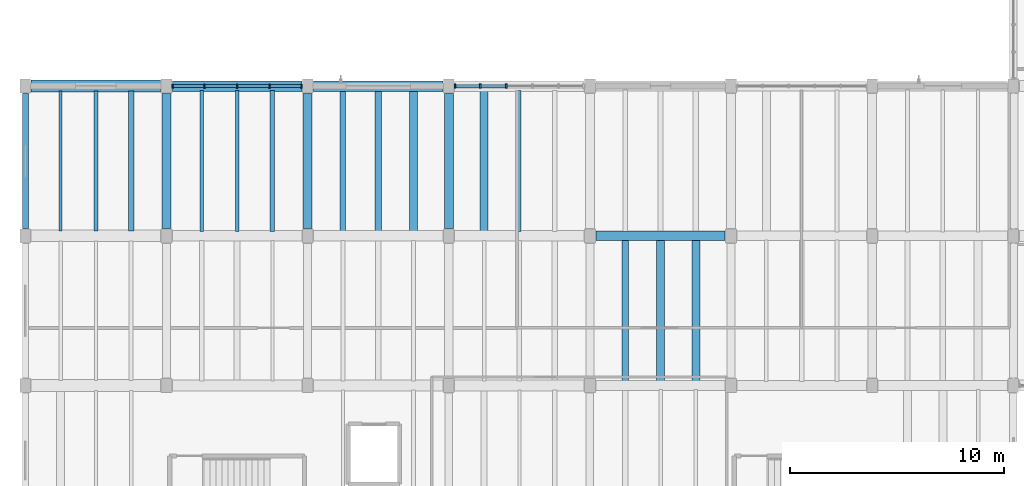
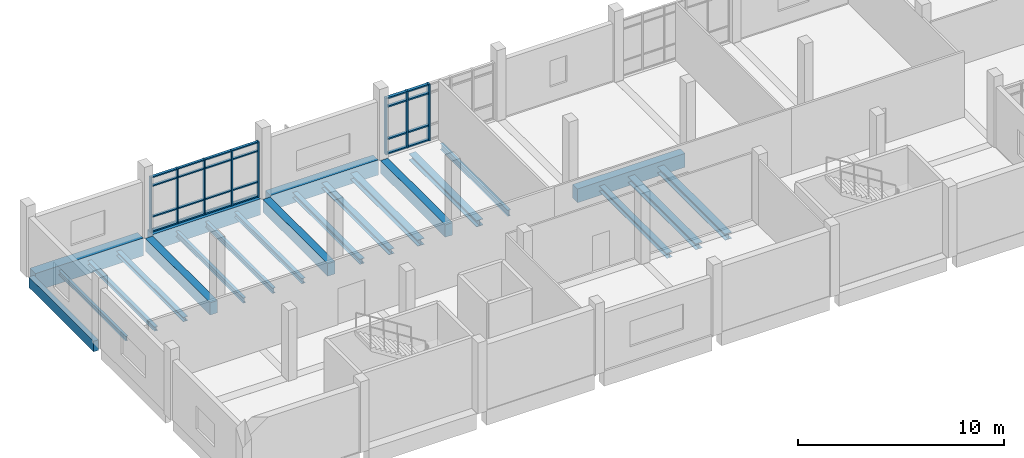
# One storey, part 3 of 67: 32 members, 22 beams, 2 elements without a shape of their own.
"""IFC4 building model written with IfcOpenShell, lengths in metres."""

from ifc_helpers import new_model, si_unit, direction, frame, origin, origin_2d, place, context, subcontext, project, spatial, rectangle, i_section, extrude, material, material_profile, profile_set, type_object, element, aggregate, save


model = new_model("IFC4")

# Units and contexts
model_context = context("Model", 3, precision=1e-05, world=origin(), true_north=direction((0.0, 1.0)))
body_context = subcontext(model_context, "Body", "Model", "MODEL_VIEW")
ifc_project = project(units=[si_unit("LENGTHUNIT", "METRE"), si_unit("AREAUNIT", "SQUARE_METRE"), si_unit("VOLUMEUNIT", "CUBIC_METRE"), si_unit("PLANEANGLEUNIT", "RADIAN"), si_unit("MASSUNIT", "GRAM", prefix="KILO")], contexts=[model_context])

# Site, building, storey
site_placement = place(None, origin())
site = spatial("IfcSite", under=ifc_project, at=site_placement, CompositionType="ELEMENT")
building_placement = place(site_placement, origin())
building = spatial("IfcBuilding", under=site, at=building_placement, Name="Ciguamira Faculty of Natural Sciences", CompositionType="ELEMENT")
storey_placement = place(building_placement, frame((0.0, 0.0, 8.39990234375)))
storey = spatial("IfcBuildingStorey", under=building, at=storey_placement, Name="L02", CompositionType="ELEMENT", Elevation=8.39990234375)

# Curtain wall, members
ifc_material_1 = material(Name="Anodized aluminium curtain wall", Category="aluminium")
curtain_wall_type_1 = type_object("IfcCurtainWallType", Name="CurtainWall_CW-08", PredefinedType="USERDEFINED", material=ifc_material_1)
curtain_wall_1_placement = place(storey_placement, origin())
curtain_wall_1 = element("IfcCurtainWall", 1, at=curtain_wall_1_placement, inside=storey, type_object=curtain_wall_type_1, Name="L02 unitised curtain wall 0056", ObjectType="UNITISED CURTAIN WALL", PredefinedType="USERDEFINED")
ifc_material_2 = material(Name="Anodized aluminium mullion", Category="aluminium")
ifc_material_profile_1 = material_profile(ifc_material_2, rectangle(XDim=0.070068359375, YDim=0.179931640625, at=origin_2d()), Name="ALU-MUL-70X180")
ifc_profile_set_1 = profile_set([ifc_material_profile_1], Name="Anodized aluminium mullion")
member_type_1 = type_object("IfcMemberType", Name="CWMullion_CWM-02", PredefinedType="MULLION", material=ifc_profile_set_1)
member_1_placement = place(storey_placement, frame((11.385009765625, 24.0, 0.0), z_axis=(0.0, 0.0, 1.0), x_axis=(1.0, 0.0, 0.0)))
member_1 = element("IfcMember", 2, at=member_1_placement, type_object=member_type_1, Name="CW-08 mullion 1", PredefinedType="MULLION", context=body_context, shape_type="SweptSolid", body=[
    extrude(rectangle(XDim=0.070068359375, YDim=0.179931640625, at=origin_2d()), origin(), (0.0, 0.0, 1.0), 3.28515625),
])
member_2_placement = place(storey_placement, frame((12.875, 24.0, 0.0), z_axis=(0.0, 0.0, 1.0), x_axis=(1.0, 0.0, 0.0)))
member_2 = element("IfcMember", 3, at=member_2_placement, type_object=member_type_1, Name="CW-08 mullion 2", PredefinedType="MULLION", context=body_context, shape_type="SweptSolid", body=[
    extrude(rectangle(XDim=0.070068359375, YDim=0.179931640625, at=origin_2d()), origin(), (0.0, 0.0, 1.0), 3.28515625),
])
member_3_placement = place(storey_placement, frame((14.39990234375, 24.0, 0.0), z_axis=(0.0, 0.0, 1.0), x_axis=(1.0, 0.0, 0.0)))
member_3 = element("IfcMember", 4, at=member_3_placement, type_object=member_type_1, Name="CW-08 mullion 3", PredefinedType="MULLION", context=body_context, shape_type="SweptSolid", body=[
    extrude(rectangle(XDim=0.070068359375, YDim=0.179931640625, at=origin_2d()), origin(), (0.0, 0.0, 1.0), 3.28515625),
])
member_4_placement = place(storey_placement, frame((15.925048828125, 24.0, 0.0), z_axis=(0.0, 0.0, 1.0), x_axis=(1.0, 0.0, 0.0)))
member_4 = element("IfcMember", 5, at=member_4_placement, type_object=member_type_1, Name="CW-08 mullion 4", PredefinedType="MULLION", context=body_context, shape_type="SweptSolid", body=[
    extrude(rectangle(XDim=0.070068359375, YDim=0.179931640625, at=origin_2d()), origin(), (0.0, 0.0, 1.0), 3.28515625),
])
member_5_placement = place(storey_placement, frame((17.4150390625, 24.0, 0.0), z_axis=(0.0, 0.0, 1.0), x_axis=(1.0, 0.0, 0.0)))
member_5 = element("IfcMember", 6, at=member_5_placement, type_object=member_type_1, Name="CW-08 mullion 5", PredefinedType="MULLION", context=body_context, shape_type="SweptSolid", body=[
    extrude(rectangle(XDim=0.070068359375, YDim=0.179931640625, at=origin_2d()), origin(), (0.0, 0.0, 1.0), 3.28515625),
])

curtain_wall_type_2 = type_object("IfcCurtainWallType", Name="CurtainWall_CW-09", PredefinedType="USERDEFINED", material=ifc_material_1)
curtain_wall_2_placement = place(storey_placement, origin())
curtain_wall_2 = element("IfcCurtainWall", 7, at=curtain_wall_2_placement, inside=storey, type_object=curtain_wall_type_2, Name="L02 unitised curtain wall 0057", ObjectType="UNITISED CURTAIN WALL", PredefinedType="USERDEFINED")
ifc_material_profile_2 = material_profile(ifc_material_2, rectangle(XDim=0.080078125, YDim=0.219970703125, at=origin_2d()), Name="ALU-MUL-80X220")
ifc_profile_set_2 = profile_set([ifc_material_profile_2], Name="Anodized aluminium mullion")
member_type_2 = type_object("IfcMemberType", Name="CWMullion_CWM-03", PredefinedType="MULLION", material=ifc_profile_set_2)
member_6_placement = place(storey_placement, frame((24.590087890625, 24.0, 0.0), z_axis=(0.0, 0.0, 1.0), x_axis=(1.0, 0.0, 0.0)))
member_6 = element("IfcMember", 8, at=member_6_placement, type_object=member_type_2, Name="CW-09 mullion 1", PredefinedType="MULLION", context=body_context, shape_type="SweptSolid", body=[
    extrude(rectangle(XDim=0.080078125, YDim=0.219970703125, at=origin_2d()), origin(), (0.0, 0.0, 1.0), 3.364990234375),
])
member_7_placement = place(storey_placement, frame((25.77001953125, 24.0, 0.0), z_axis=(0.0, 0.0, 1.0), x_axis=(1.0, 0.0, 0.0)))
member_7 = element("IfcMember", 9, at=member_7_placement, type_object=member_type_2, Name="CW-09 mullion 2", PredefinedType="MULLION", context=body_context, shape_type="SweptSolid", body=[
    extrude(rectangle(XDim=0.080078125, YDim=0.219970703125, at=origin_2d()), origin(), (0.0, 0.0, 1.0), 3.364990234375),
])
member_8_placement = place(storey_placement, frame((26.989990234375, 24.0, 0.0), z_axis=(0.0, 0.0, 1.0), x_axis=(1.0, 0.0, 0.0)))
member_8 = element("IfcMember", 10, at=member_8_placement, type_object=member_type_2, Name="CW-09 mullion 3", PredefinedType="MULLION", context=body_context, shape_type="SweptSolid", body=[
    extrude(rectangle(XDim=0.080078125, YDim=0.219970703125, at=origin_2d()), origin(), (0.0, 0.0, 1.0), 3.364990234375),
])

# Member
ifc_material_3 = material(Name="Anodized aluminium transom", Category="aluminium")
ifc_material_profile_3 = material_profile(ifc_material_3, rectangle(XDim=0.070068359375, YDim=0.139892578125, at=origin_2d()), Name="ALU-TRN-70X140")
ifc_profile_set_3 = profile_set([ifc_material_profile_3], Name="Anodized aluminium transom")
member_type_3 = type_object("IfcMemberType", Name="CWTransom_CWT-02", PredefinedType="USERDEFINED", material=ifc_profile_set_3)
member_9_placement = place(storey_placement, frame((11.419921875, 24.0, 0.03515625), z_axis=(1.0, 0.0, 0.0), x_axis=(0.0, 0.0, 1.0)))
member_9 = element("IfcMember", 11, at=member_9_placement, type_object=member_type_3, Name="CW-08 transom 1.1", ObjectType="TRANSOM", PredefinedType="USERDEFINED", context=body_context, shape_type="SweptSolid", body=[
    extrude(rectangle(XDim=0.070068359375, YDim=0.139892578125, at=origin_2d()), origin(), (0.0, 0.0, 1.0), 1.420166015625),
])

member_10_placement = place(storey_placement, frame((11.419921875, 24.0, 0.900146484375), z_axis=(1.0, 0.0, 0.0), x_axis=(0.0, 0.0, 1.0)))
member_10 = element("IfcMember", 12, at=member_10_placement, type_object=member_type_3, Name="CW-08 transom 1.2", ObjectType="TRANSOM", PredefinedType="USERDEFINED", context=body_context, shape_type="SweptSolid", body=[
    extrude(rectangle(XDim=0.070068359375, YDim=0.139892578125, at=origin_2d()), origin(), (0.0, 0.0, 1.0), 1.420166015625),
])

member_11_placement = place(storey_placement, frame((11.419921875, 24.0, 2.735107421875), z_axis=(1.0, 0.0, 0.0), x_axis=(0.0, 0.0, 1.0)))
member_11 = element("IfcMember", 13, at=member_11_placement, type_object=member_type_3, Name="CW-08 transom 1.3", ObjectType="TRANSOM", PredefinedType="USERDEFINED", context=body_context, shape_type="SweptSolid", body=[
    extrude(rectangle(XDim=0.070068359375, YDim=0.139892578125, at=origin_2d()), origin(), (0.0, 0.0, 1.0), 1.420166015625),
])

member_12_placement = place(storey_placement, frame((11.419921875, 24.0, 3.25), z_axis=(1.0, 0.0, 0.0), x_axis=(0.0, 0.0, 1.0)))
member_12 = element("IfcMember", 14, at=member_12_placement, type_object=member_type_3, Name="CW-08 transom 1.4", ObjectType="TRANSOM", PredefinedType="USERDEFINED", context=body_context, shape_type="SweptSolid", body=[
    extrude(rectangle(XDim=0.070068359375, YDim=0.139892578125, at=origin_2d()), origin(), (0.0, 0.0, 1.0), 1.420166015625),
])

member_13_placement = place(storey_placement, frame((12.909912109375, 24.0, 0.03515625), z_axis=(1.0, 0.0, 0.0), x_axis=(0.0, 0.0, 1.0)))
member_13 = element("IfcMember", 15, at=member_13_placement, type_object=member_type_3, Name="CW-08 transom 2.1", ObjectType="TRANSOM", PredefinedType="USERDEFINED", context=body_context, shape_type="SweptSolid", body=[
    extrude(rectangle(XDim=0.070068359375, YDim=0.139892578125, at=origin_2d()), origin(), (0.0, 0.0, 1.0), 1.455078125),
])

member_14_placement = place(storey_placement, frame((12.909912109375, 24.0, 0.900146484375), z_axis=(1.0, 0.0, 0.0), x_axis=(0.0, 0.0, 1.0)))
member_14 = element("IfcMember", 16, at=member_14_placement, type_object=member_type_3, Name="CW-08 transom 2.2", ObjectType="TRANSOM", PredefinedType="USERDEFINED", context=body_context, shape_type="SweptSolid", body=[
    extrude(rectangle(XDim=0.070068359375, YDim=0.139892578125, at=origin_2d()), origin(), (0.0, 0.0, 1.0), 1.455078125),
])

member_15_placement = place(storey_placement, frame((12.909912109375, 24.0, 2.735107421875), z_axis=(1.0, 0.0, 0.0), x_axis=(0.0, 0.0, 1.0)))
member_15 = element("IfcMember", 17, at=member_15_placement, type_object=member_type_3, Name="CW-08 transom 2.3", ObjectType="TRANSOM", PredefinedType="USERDEFINED", context=body_context, shape_type="SweptSolid", body=[
    extrude(rectangle(XDim=0.070068359375, YDim=0.139892578125, at=origin_2d()), origin(), (0.0, 0.0, 1.0), 1.455078125),
])

member_16_placement = place(storey_placement, frame((12.909912109375, 24.0, 3.25), z_axis=(1.0, 0.0, 0.0), x_axis=(0.0, 0.0, 1.0)))
member_16 = element("IfcMember", 18, at=member_16_placement, type_object=member_type_3, Name="CW-08 transom 2.4", ObjectType="TRANSOM", PredefinedType="USERDEFINED", context=body_context, shape_type="SweptSolid", body=[
    extrude(rectangle(XDim=0.070068359375, YDim=0.139892578125, at=origin_2d()), origin(), (0.0, 0.0, 1.0), 1.455078125),
])

member_17_placement = place(storey_placement, frame((14.43505859375, 24.0, 0.03515625), z_axis=(1.0, 0.0, 0.0), x_axis=(0.0, 0.0, 1.0)))
member_17 = element("IfcMember", 19, at=member_17_placement, type_object=member_type_3, Name="CW-08 transom 3.1", ObjectType="TRANSOM", PredefinedType="USERDEFINED", context=body_context, shape_type="SweptSolid", body=[
    extrude(rectangle(XDim=0.070068359375, YDim=0.139892578125, at=origin_2d()), origin(), (0.0, 0.0, 1.0), 1.454833984375),
])

member_18_placement = place(storey_placement, frame((14.43505859375, 24.0, 0.900146484375), z_axis=(1.0, 0.0, 0.0), x_axis=(0.0, 0.0, 1.0)))
member_18 = element("IfcMember", 20, at=member_18_placement, type_object=member_type_3, Name="CW-08 transom 3.2", ObjectType="TRANSOM", PredefinedType="USERDEFINED", context=body_context, shape_type="SweptSolid", body=[
    extrude(rectangle(XDim=0.070068359375, YDim=0.139892578125, at=origin_2d()), origin(), (0.0, 0.0, 1.0), 1.454833984375),
])

member_19_placement = place(storey_placement, frame((14.43505859375, 24.0, 2.735107421875), z_axis=(1.0, 0.0, 0.0), x_axis=(0.0, 0.0, 1.0)))
member_19 = element("IfcMember", 21, at=member_19_placement, type_object=member_type_3, Name="CW-08 transom 3.3", ObjectType="TRANSOM", PredefinedType="USERDEFINED", context=body_context, shape_type="SweptSolid", body=[
    extrude(rectangle(XDim=0.070068359375, YDim=0.139892578125, at=origin_2d()), origin(), (0.0, 0.0, 1.0), 1.454833984375),
])

member_20_placement = place(storey_placement, frame((14.43505859375, 24.0, 3.25), z_axis=(1.0, 0.0, 0.0), x_axis=(0.0, 0.0, 1.0)))
member_20 = element("IfcMember", 22, at=member_20_placement, type_object=member_type_3, Name="CW-08 transom 3.4", ObjectType="TRANSOM", PredefinedType="USERDEFINED", context=body_context, shape_type="SweptSolid", body=[
    extrude(rectangle(XDim=0.070068359375, YDim=0.139892578125, at=origin_2d()), origin(), (0.0, 0.0, 1.0), 1.454833984375),
])

member_21_placement = place(storey_placement, frame((15.9599609375, 24.0, 0.03515625), z_axis=(1.0, 0.0, 0.0), x_axis=(0.0, 0.0, 1.0)))
member_21 = element("IfcMember", 23, at=member_21_placement, type_object=member_type_3, Name="CW-08 transom 4.1", ObjectType="TRANSOM", PredefinedType="USERDEFINED", context=body_context, shape_type="SweptSolid", body=[
    extrude(rectangle(XDim=0.070068359375, YDim=0.139892578125, at=origin_2d()), origin(), (0.0, 0.0, 1.0), 1.419921875),
])

member_22_placement = place(storey_placement, frame((15.9599609375, 24.0, 0.900146484375), z_axis=(1.0, 0.0, 0.0), x_axis=(0.0, 0.0, 1.0)))
member_22 = element("IfcMember", 24, at=member_22_placement, type_object=member_type_3, Name="CW-08 transom 4.2", ObjectType="TRANSOM", PredefinedType="USERDEFINED", context=body_context, shape_type="SweptSolid", body=[
    extrude(rectangle(XDim=0.070068359375, YDim=0.139892578125, at=origin_2d()), origin(), (0.0, 0.0, 1.0), 1.419921875),
])

member_23_placement = place(storey_placement, frame((15.9599609375, 24.0, 2.735107421875), z_axis=(1.0, 0.0, 0.0), x_axis=(0.0, 0.0, 1.0)))
member_23 = element("IfcMember", 25, at=member_23_placement, type_object=member_type_3, Name="CW-08 transom 4.3", ObjectType="TRANSOM", PredefinedType="USERDEFINED", context=body_context, shape_type="SweptSolid", body=[
    extrude(rectangle(XDim=0.070068359375, YDim=0.139892578125, at=origin_2d()), origin(), (0.0, 0.0, 1.0), 1.419921875),
])

member_24_placement = place(storey_placement, frame((15.9599609375, 24.0, 3.25), z_axis=(1.0, 0.0, 0.0), x_axis=(0.0, 0.0, 1.0)))
member_24 = element("IfcMember", 26, at=member_24_placement, type_object=member_type_3, Name="CW-08 transom 4.4", ObjectType="TRANSOM", PredefinedType="USERDEFINED", context=body_context, shape_type="SweptSolid", body=[
    extrude(rectangle(XDim=0.070068359375, YDim=0.139892578125, at=origin_2d()), origin(), (0.0, 0.0, 1.0), 1.419921875),
])

aggregate(curtain_wall_1, [member_1, member_2, member_3, member_4, member_5, member_9, member_10, member_11, member_12, member_13, member_14, member_15, member_16, member_17, member_18, member_19, member_20, member_21, member_22, member_23, member_24])

ifc_material_profile_4 = material_profile(ifc_material_3, rectangle(XDim=0.080078125, YDim=0.159912109375, at=origin_2d()), Name="ALU-TRN-80X160")
ifc_profile_set_4 = profile_set([ifc_material_profile_4], Name="Anodized aluminium transom")
member_type_4 = type_object("IfcMemberType", Name="CWTransom_CWT-03", PredefinedType="USERDEFINED", material=ifc_profile_set_4)
member_25_placement = place(storey_placement, frame((24.6298828125, 24.0, 0.0400390625), z_axis=(1.0, 0.0, 0.0), x_axis=(0.0, 0.0, 1.0)))
member_25 = element("IfcMember", 27, at=member_25_placement, type_object=member_type_4, Name="CW-09 transom 1.1", ObjectType="TRANSOM", PredefinedType="USERDEFINED", context=body_context, shape_type="SweptSolid", body=[
    extrude(rectangle(XDim=0.080078125, YDim=0.159912109375, at=origin_2d()), origin(), (0.0, 0.0, 1.0), 1.10009765625),
])

member_26_placement = place(storey_placement, frame((24.6298828125, 24.0, 0.900146484375), z_axis=(1.0, 0.0, 0.0), x_axis=(0.0, 0.0, 1.0)))
member_26 = element("IfcMember", 28, at=member_26_placement, type_object=member_type_4, Name="CW-09 transom 1.2", ObjectType="TRANSOM", PredefinedType="USERDEFINED", context=body_context, shape_type="SweptSolid", body=[
    extrude(rectangle(XDim=0.080078125, YDim=0.159912109375, at=origin_2d()), origin(), (0.0, 0.0, 1.0), 1.10009765625),
])

member_27_placement = place(storey_placement, frame((24.6298828125, 24.0, 2.815185546875), z_axis=(1.0, 0.0, 0.0), x_axis=(0.0, 0.0, 1.0)))
member_27 = element("IfcMember", 29, at=member_27_placement, type_object=member_type_4, Name="CW-09 transom 1.3", ObjectType="TRANSOM", PredefinedType="USERDEFINED", context=body_context, shape_type="SweptSolid", body=[
    extrude(rectangle(XDim=0.080078125, YDim=0.159912109375, at=origin_2d()), origin(), (0.0, 0.0, 1.0), 1.10009765625),
])

member_28_placement = place(storey_placement, frame((24.6298828125, 24.0, 3.3251953125), z_axis=(1.0, 0.0, 0.0), x_axis=(0.0, 0.0, 1.0)))
member_28 = element("IfcMember", 30, at=member_28_placement, type_object=member_type_4, Name="CW-09 transom 1.4", ObjectType="TRANSOM", PredefinedType="USERDEFINED", context=body_context, shape_type="SweptSolid", body=[
    extrude(rectangle(XDim=0.080078125, YDim=0.159912109375, at=origin_2d()), origin(), (0.0, 0.0, 1.0), 1.10009765625),
])

member_29_placement = place(storey_placement, frame((25.81005859375, 24.0, 0.0400390625), z_axis=(1.0, 0.0, 0.0), x_axis=(0.0, 0.0, 1.0)))
member_29 = element("IfcMember", 31, at=member_29_placement, type_object=member_type_4, Name="CW-09 transom 2.1", ObjectType="TRANSOM", PredefinedType="USERDEFINED", context=body_context, shape_type="SweptSolid", body=[
    extrude(rectangle(XDim=0.080078125, YDim=0.159912109375, at=origin_2d()), origin(), (0.0, 0.0, 1.0), 1.139892578125),
])

member_30_placement = place(storey_placement, frame((25.81005859375, 24.0, 0.900146484375), z_axis=(1.0, 0.0, 0.0), x_axis=(0.0, 0.0, 1.0)))
member_30 = element("IfcMember", 32, at=member_30_placement, type_object=member_type_4, Name="CW-09 transom 2.2", ObjectType="TRANSOM", PredefinedType="USERDEFINED", context=body_context, shape_type="SweptSolid", body=[
    extrude(rectangle(XDim=0.080078125, YDim=0.159912109375, at=origin_2d()), origin(), (0.0, 0.0, 1.0), 1.139892578125),
])

member_31_placement = place(storey_placement, frame((25.81005859375, 24.0, 2.815185546875), z_axis=(1.0, 0.0, 0.0), x_axis=(0.0, 0.0, 1.0)))
member_31 = element("IfcMember", 33, at=member_31_placement, type_object=member_type_4, Name="CW-09 transom 2.3", ObjectType="TRANSOM", PredefinedType="USERDEFINED", context=body_context, shape_type="SweptSolid", body=[
    extrude(rectangle(XDim=0.080078125, YDim=0.159912109375, at=origin_2d()), origin(), (0.0, 0.0, 1.0), 1.139892578125),
])

member_32_placement = place(storey_placement, frame((25.81005859375, 24.0, 3.3251953125), z_axis=(1.0, 0.0, 0.0), x_axis=(0.0, 0.0, 1.0)))
member_32 = element("IfcMember", 34, at=member_32_placement, type_object=member_type_4, Name="CW-09 transom 2.4", ObjectType="TRANSOM", PredefinedType="USERDEFINED", context=body_context, shape_type="SweptSolid", body=[
    extrude(rectangle(XDim=0.080078125, YDim=0.159912109375, at=origin_2d()), origin(), (0.0, 0.0, 1.0), 1.139892578125),
])

aggregate(curtain_wall_2, [member_6, member_7, member_8, member_25, member_26, member_27, member_28, member_29, member_30, member_31, member_32])

# Beams
ifc_material_4 = material(Name="Concrete C40/50", Category="concrete")
ifc_material_profile_5 = material_profile(ifc_material_4, rectangle(XDim=0.550048828125, YDim=1.050048828125, at=origin_2d()), Name="RC-BM-550X1050")
ifc_profile_set_5 = profile_set([ifc_material_profile_5], Name="Concrete C40/50")
beam_type_1 = type_object("IfcBeamType", Name="RCBeam_BG-01_RC-BM-550X1050", PredefinedType="BEAM", material=ifc_profile_set_5)
beam_1_placement = place(storey_placement, frame((4.77490234375, 24.0, -0.52490234375), z_axis=(1.0, 0.0, 0.0), x_axis=(0.0, 1.0, 0.0)))
element("IfcBeam", 35, at=beam_1_placement, inside=storey, type_object=beam_type_1, Name="L02 RC girder EW-0748", PredefinedType="BEAM", context=body_context, shape_type="SweptSolid", body=[
    extrude(rectangle(XDim=0.550048828125, YDim=1.050048828125, at=origin_2d()), origin(), (0.0, 0.0, 1.0), 6.050048828125),
])
ifc_material_profile_6 = material_profile(ifc_material_4, rectangle(XDim=0.5, YDim=0.949951171875, at=origin_2d()), Name="RC-BM-500X950")
ifc_profile_set_6 = profile_set([ifc_material_profile_6], Name="Concrete C40/50")
beam_type_2 = type_object("IfcBeamType", Name="RCBeam_BG-02_RC-BM-500X950", PredefinedType="BEAM", material=ifc_profile_set_6)
beam_2_placement = place(storey_placement, frame((11.375, 24.0, -0.474853515625), z_axis=(1.0, 0.0, 0.0), x_axis=(0.0, 1.0, 0.0)))
element("IfcBeam", 36, at=beam_2_placement, inside=storey, type_object=beam_type_2, Name="L02 RC girder EW-0749", PredefinedType="BEAM", context=body_context, shape_type="SweptSolid", body=[
    extrude(rectangle(XDim=0.5, YDim=0.949951171875, at=origin_2d()), origin(), (0.0, 0.0, 1.0), 6.050048828125),
])
ifc_material_profile_7 = material_profile(ifc_material_4, rectangle(XDim=0.5, YDim=0.89990234375, at=origin_2d()), Name="RC-BM-500X900")
ifc_profile_set_7 = profile_set([ifc_material_profile_7], Name="Concrete C40/50")
beam_type_3 = type_object("IfcBeamType", Name="RCBeam_BG-03_RC-BM-500X900", PredefinedType="BEAM", material=ifc_profile_set_7)
beam_3_placement = place(storey_placement, frame((17.97509765625, 24.0, -0.449951171875), z_axis=(1.0, 0.0, 0.0), x_axis=(0.0, 1.0, 0.0)))
element("IfcBeam", 37, at=beam_3_placement, inside=storey, type_object=beam_type_3, Name="L02 RC girder EW-0750", PredefinedType="BEAM", context=body_context, shape_type="SweptSolid", body=[
    extrude(rectangle(XDim=0.5, YDim=0.89990234375, at=origin_2d()), origin(), (0.0, 0.0, 1.0), 6.0498046875),
])
ifc_material_profile_8 = material_profile(ifc_material_4, rectangle(XDim=0.4599609375, YDim=0.820068359375, at=origin_2d()), Name="RC-BM-460X820")
ifc_profile_set_8 = profile_set([ifc_material_profile_8], Name="Concrete C40/50")
beam_type_4 = type_object("IfcBeamType", Name="RCBeam_BG-04_RC-BM-460X820", PredefinedType="BEAM", material=ifc_profile_set_8)
beam_4_placement = place(storey_placement, frame((31.175048828125, 17.0, -0.409912109375), z_axis=(1.0, 0.0, 0.0), x_axis=(0.0, 1.0, 0.0)))
element("IfcBeam", 38, at=beam_4_placement, inside=storey, type_object=beam_type_4, Name="L02 RC girder EW-0734", PredefinedType="BEAM", context=body_context, shape_type="SweptSolid", body=[
    extrude(rectangle(XDim=0.4599609375, YDim=0.820068359375, at=origin_2d()), origin(), (0.0, 0.0, 1.0), 6.050048828125),
])
ifc_material_profile_9 = material_profile(ifc_material_4, rectangle(XDim=0.419921875, YDim=0.739990234375, at=origin_2d()), Name="RC-BM-420X740")
ifc_profile_set_9 = profile_set([ifc_material_profile_9], Name="Concrete C40/50")
beam_type_5 = type_object("IfcBeamType", Name="RCBeam_BG-07_RC-BM-420X740", PredefinedType="BEAM", material=ifc_profile_set_9)
for number, where, z_axis, x_axis, name in (
    (39, (11.10009765625, 17.35009765625, -0.369873046875), (0.0, 1.0, 0.0), (-1.0, 0.0, 0.0), "L02 girder NS-0879"),
    (40, (17.699951171875, 17.35009765625, -0.369873046875), (0.0, 1.0, 0.0), (-1.0, 0.0, 0.0), "L02 girder NS-0881"),
    (41, (24.300048828125, 17.35009765625, -0.369873046875), (0.0, 1.0, 0.0), (-1.0, 0.0, 0.0), "L02 girder NS-0884"),
):
    element("IfcBeam", number, at=place(storey_placement, frame(where, z_axis=z_axis, x_axis=x_axis)), inside=storey, type_object=beam_type_5, Name=name, PredefinedType="BEAM", context=body_context, shape_type="SweptSolid", body=[
        extrude(rectangle(XDim=0.419921875, YDim=0.739990234375, at=origin_2d()), origin(), (0.0, 0.0, 1.0), 6.2998046875),
    ])
ifc_material_5 = material(Name="Precast concrete C40/50", Category="concrete")
ifc_material_profile_10 = material_profile(ifc_material_5, rectangle(XDim=0.280029296875, YDim=0.6201171875, at=origin_2d()), Name="RC-SP-280X620")
ifc_profile_set_10 = profile_set([ifc_material_profile_10], Name="Precast concrete C40/50")
beam_type_6 = type_object("IfcBeamType", Name="RCBeam_SP-01_RC-SP-280X620", PredefinedType="SPANDREL", material=ifc_profile_set_10)
beam_5_placement = place(storey_placement, frame((4.5, 17.35009765625, -0.309814453125), z_axis=(0.0, 1.0, 0.0), x_axis=(-1.0, 0.0, 0.0)))
element("IfcBeam", 42, at=beam_5_placement, inside=storey, type_object=beam_type_6, Name="L02 girder NS-0877", PredefinedType="SPANDREL", context=body_context, shape_type="SweptSolid", body=[
    extrude(rectangle(XDim=0.280029296875, YDim=0.6201171875, at=origin_2d()), origin(), (0.0, 0.0, 1.0), 6.2998046875),
])
ifc_material_6 = material(Name="Steel ASTM A992 Grade 50", Category="steel")
ifc_material_profile_11 = material_profile(ifc_material_6, i_section(OverallWidth=0.14599609375, OverallDepth=0.259033203125, WebThickness=0.006103515625, FlangeThickness=0.009033203125, at=origin_2d()), Name="W10X22")
ifc_profile_set_11 = profile_set([ifc_material_profile_11], Name="Steel ASTM A992 Grade 50")
beam_type_7 = type_object("IfcBeamType", Name="SteelJoist_SJ-01_W10X22", PredefinedType="JOIST", material=ifc_profile_set_11)
beam_6_placement = place(storey_placement, frame((6.14990234375, 17.235107421875, -0.389404296875), z_axis=(0.0, 1.0, 0.0), x_axis=(-1.0, 0.0, 0.0)))
element("IfcBeam", 43, at=beam_6_placement, inside=storey, type_object=beam_type_7, Name="L02 composite steel joist 00651", PredefinedType="JOIST", context=body_context, shape_type="SweptSolid", body=[
    extrude(i_section(OverallWidth=0.14599609375, OverallDepth=0.259033203125, WebThickness=0.006103515625, FlangeThickness=0.009033203125, at=origin_2d()), origin(), (0.0, 0.0, 1.0), 6.52978515625),
])
ifc_material_profile_12 = material_profile(ifc_material_6, i_section(OverallWidth=0.2021484375, OverallDepth=0.2470703125, WebThickness=0.00732421875, FlangeThickness=0.010986328125, at=origin_2d()), Name="W10X33")
ifc_profile_set_12 = profile_set([ifc_material_profile_12], Name="Steel ASTM A992 Grade 50")
beam_type_8 = type_object("IfcBeamType", Name="SteelJoist_SJ-02_W10X33", PredefinedType="JOIST", material=ifc_profile_set_12)
beam_7_placement = place(storey_placement, frame((7.800048828125, 17.235107421875, -0.383544921875), z_axis=(0.0, 1.0, 0.0), x_axis=(-1.0, 0.0, 0.0)))
element("IfcBeam", 44, at=beam_7_placement, inside=storey, type_object=beam_type_8, Name="L02 composite steel joist 00652", PredefinedType="JOIST", context=body_context, shape_type="SweptSolid", body=[
    extrude(i_section(OverallWidth=0.2021484375, OverallDepth=0.2470703125, WebThickness=0.00732421875, FlangeThickness=0.010986328125, at=origin_2d()), origin(), (0.0, 0.0, 1.0), 6.52978515625),
])
ifc_material_profile_13 = material_profile(ifc_material_6, i_section(OverallWidth=0.25390625, OverallDepth=0.25390625, WebThickness=0.008544921875, FlangeThickness=0.01416015625, at=origin_2d()), Name="W10X49")
ifc_profile_set_13 = profile_set([ifc_material_profile_13], Name="Steel ASTM A992 Grade 50")
beam_type_9 = type_object("IfcBeamType", Name="SteelJoist_SJ-03_W10X49", PredefinedType="JOIST", material=ifc_profile_set_13)
beam_8_placement = place(storey_placement, frame((9.449951171875, 17.235107421875, -0.386962890625), z_axis=(0.0, 1.0, 0.0), x_axis=(-1.0, 0.0, 0.0)))
element("IfcBeam", 45, at=beam_8_placement, inside=storey, type_object=beam_type_9, Name="L02 composite steel joist 00653", PredefinedType="JOIST", context=body_context, shape_type="SweptSolid", body=[
    extrude(i_section(OverallWidth=0.25390625, OverallDepth=0.25390625, WebThickness=0.008544921875, FlangeThickness=0.01416015625, at=origin_2d()), origin(), (0.0, 0.0, 1.0), 6.52978515625),
])
ifc_material_profile_14 = material_profile(ifc_material_6, i_section(OverallWidth=0.164794921875, OverallDepth=0.309814453125, WebThickness=0.005859375, FlangeThickness=0.009765625, at=origin_2d()), Name="W12X26")
ifc_profile_set_14 = profile_set([ifc_material_profile_14], Name="Steel ASTM A992 Grade 50")
beam_type_10 = type_object("IfcBeamType", Name="SteelJoist_SJ-04_W12X26", PredefinedType="JOIST", material=ifc_profile_set_14)
beam_9_placement = place(storey_placement, frame((12.75, 17.2099609375, -0.414794921875), z_axis=(0.0, 1.0, 0.0), x_axis=(-1.0, 0.0, 0.0)))
element("IfcBeam", 46, at=beam_9_placement, inside=storey, type_object=beam_type_10, Name="L02 composite steel joist 00657", PredefinedType="JOIST", context=body_context, shape_type="SweptSolid", body=[
    extrude(i_section(OverallWidth=0.164794921875, OverallDepth=0.309814453125, WebThickness=0.005859375, FlangeThickness=0.009765625, at=origin_2d()), origin(), (0.0, 0.0, 1.0), 6.580078125),
])
ifc_material_profile_15 = material_profile(ifc_material_6, i_section(OverallWidth=0.16650390625, OverallDepth=0.3173828125, WebThickness=0.007568359375, FlangeThickness=0.01318359375, at=origin_2d()), Name="W12X35")
ifc_profile_set_15 = profile_set([ifc_material_profile_15], Name="Steel ASTM A992 Grade 50")
beam_type_11 = type_object("IfcBeamType", Name="SteelJoist_SJ-05_W12X35", PredefinedType="JOIST", material=ifc_profile_set_15)
beam_10_placement = place(storey_placement, frame((14.39990234375, 17.2099609375, -0.418701171875), z_axis=(0.0, 1.0, 0.0), x_axis=(-1.0, 0.0, 0.0)))
element("IfcBeam", 47, at=beam_10_placement, inside=storey, type_object=beam_type_11, Name="L02 composite steel joist 00658", PredefinedType="JOIST", context=body_context, shape_type="SweptSolid", body=[
    extrude(i_section(OverallWidth=0.16650390625, OverallDepth=0.3173828125, WebThickness=0.007568359375, FlangeThickness=0.01318359375, at=origin_2d()), origin(), (0.0, 0.0, 1.0), 6.580078125),
])
ifc_material_profile_16 = material_profile(ifc_material_6, i_section(OverallWidth=0.20458984375, OverallDepth=0.307373046875, WebThickness=0.008544921875, FlangeThickness=0.0146484375, at=origin_2d()), Name="W12X45")
ifc_profile_set_16 = profile_set([ifc_material_profile_16], Name="Steel ASTM A992 Grade 50")
beam_type_12 = type_object("IfcBeamType", Name="SteelJoist_SJ-06_W12X45", PredefinedType="JOIST", material=ifc_profile_set_16)
beam_11_placement = place(storey_placement, frame((16.050048828125, 17.2099609375, -0.41357421875), z_axis=(0.0, 1.0, 0.0), x_axis=(-1.0, 0.0, 0.0)))
element("IfcBeam", 48, at=beam_11_placement, inside=storey, type_object=beam_type_12, Name="L02 composite steel joist 00659", PredefinedType="JOIST", context=body_context, shape_type="SweptSolid", body=[
    extrude(i_section(OverallWidth=0.20458984375, OverallDepth=0.307373046875, WebThickness=0.008544921875, FlangeThickness=0.0146484375, at=origin_2d()), origin(), (0.0, 0.0, 1.0), 6.580078125),
])
ifc_material_profile_17 = material_profile(ifc_material_6, i_section(OverallWidth=0.25390625, OverallDepth=0.307373046875, WebThickness=0.0087890625, FlangeThickness=0.0146484375, at=origin_2d()), Name="W12X53")
ifc_profile_set_17 = profile_set([ifc_material_profile_17], Name="Steel ASTM A992 Grade 50")
beam_type_13 = type_object("IfcBeamType", Name="SteelJoist_SJ-07_W12X53", PredefinedType="JOIST", material=ifc_profile_set_17)
beam_12_placement = place(storey_placement, frame((19.35009765625, 17.2099609375, -0.41357421875), z_axis=(0.0, 1.0, 0.0), x_axis=(-1.0, 0.0, 0.0)))
element("IfcBeam", 49, at=beam_12_placement, inside=storey, type_object=beam_type_13, Name="L02 composite steel joist 00665", PredefinedType="JOIST", context=body_context, shape_type="SweptSolid", body=[
    extrude(i_section(OverallWidth=0.25390625, OverallDepth=0.307373046875, WebThickness=0.0087890625, FlangeThickness=0.0146484375, at=origin_2d()), origin(), (0.0, 0.0, 1.0), 6.580078125),
])
ifc_material_profile_18 = material_profile(ifc_material_6, i_section(OverallWidth=0.3046875, OverallDepth=0.307373046875, WebThickness=0.010009765625, FlangeThickness=0.015380859375, at=origin_2d()), Name="W12X65")
ifc_profile_set_18 = profile_set([ifc_material_profile_18], Name="Steel ASTM A992 Grade 50")
beam_type_14 = type_object("IfcBeamType", Name="SteelJoist_SJ-08_W12X65", PredefinedType="JOIST", material=ifc_profile_set_18)
beam_13_placement = place(storey_placement, frame((21.0, 17.2099609375, -0.41357421875), z_axis=(0.0, 1.0, 0.0), x_axis=(-1.0, 0.0, 0.0)))
element("IfcBeam", 50, at=beam_13_placement, inside=storey, type_object=beam_type_14, Name="L02 composite steel joist 00666", PredefinedType="JOIST", context=body_context, shape_type="SweptSolid", body=[
    extrude(i_section(OverallWidth=0.3046875, OverallDepth=0.307373046875, WebThickness=0.010009765625, FlangeThickness=0.015380859375, at=origin_2d()), origin(), (0.0, 0.0, 1.0), 6.580078125),
])
beam_14_placement = place(storey_placement, frame((32.550048828125, 10.18994140625, -0.41357421875), z_axis=(0.0, 1.0, 0.0), x_axis=(-1.0, 0.0, 0.0)))
element("IfcBeam", 51, at=beam_14_placement, inside=storey, type_object=beam_type_14, Name="L02 composite steel joist 00680", PredefinedType="JOIST", context=body_context, shape_type="SweptSolid", body=[
    extrude(i_section(OverallWidth=0.3046875, OverallDepth=0.307373046875, WebThickness=0.010009765625, FlangeThickness=0.015380859375, at=origin_2d()), origin(), (0.0, 0.0, 1.0), 6.6201171875),
])
ifc_material_profile_19 = material_profile(ifc_material_6, i_section(OverallWidth=0.370849609375, OverallDepth=0.36328125, WebThickness=0.013427734375, FlangeThickness=0.021728515625, at=origin_2d()), Name="W14X109")
ifc_profile_set_19 = profile_set([ifc_material_profile_19], Name="Steel ASTM A992 Grade 50")
beam_type_15 = type_object("IfcBeamType", Name="SteelJoist_SJ-09_W14X109", PredefinedType="JOIST", material=ifc_profile_set_19)
beam_15_placement = place(storey_placement, frame((22.64990234375, 17.2099609375, -0.44140625), z_axis=(0.0, 1.0, 0.0), x_axis=(-1.0, 0.0, 0.0)))
element("IfcBeam", 52, at=beam_15_placement, inside=storey, type_object=beam_type_15, Name="L02 composite steel joist 00667", PredefinedType="JOIST", context=body_context, shape_type="SweptSolid", body=[
    extrude(i_section(OverallWidth=0.370849609375, OverallDepth=0.36328125, WebThickness=0.013427734375, FlangeThickness=0.021728515625, at=origin_2d()), origin(), (0.0, 0.0, 1.0), 6.580078125),
])
beam_16_placement = place(storey_placement, frame((34.199951171875, 10.18994140625, -0.44140625), z_axis=(0.0, 1.0, 0.0), x_axis=(-1.0, 0.0, 0.0)))
element("IfcBeam", 53, at=beam_16_placement, inside=storey, type_object=beam_type_15, Name="L02 composite steel joist 00681", PredefinedType="JOIST", context=body_context, shape_type="SweptSolid", body=[
    extrude(i_section(OverallWidth=0.370849609375, OverallDepth=0.36328125, WebThickness=0.013427734375, FlangeThickness=0.021728515625, at=origin_2d()), origin(), (0.0, 0.0, 1.0), 6.6201171875),
])
ifc_material_profile_20 = material_profile(ifc_material_6, i_section(OverallWidth=0.373291015625, OverallDepth=0.373291015625, WebThickness=0.016357421875, FlangeThickness=0.026123046875, at=origin_2d()), Name="W14X132")
ifc_profile_set_20 = profile_set([ifc_material_profile_20], Name="Steel ASTM A992 Grade 50")
beam_type_16 = type_object("IfcBeamType", Name="SteelJoist_SJ-10_W14X132", PredefinedType="JOIST", material=ifc_profile_set_20)
beam_17_placement = place(storey_placement, frame((25.949951171875, 17.2099609375, -0.446533203125), z_axis=(0.0, 1.0, 0.0), x_axis=(-1.0, 0.0, 0.0)))
element("IfcBeam", 54, at=beam_17_placement, inside=storey, type_object=beam_type_16, Name="L02 composite steel joist 00674", PredefinedType="JOIST", context=body_context, shape_type="SweptSolid", body=[
    extrude(i_section(OverallWidth=0.373291015625, OverallDepth=0.373291015625, WebThickness=0.016357421875, FlangeThickness=0.026123046875, at=origin_2d()), origin(), (0.0, 0.0, 1.0), 6.580078125),
])
beam_18_placement = place(storey_placement, frame((35.85009765625, 10.18994140625, -0.446533203125), z_axis=(0.0, 1.0, 0.0), x_axis=(-1.0, 0.0, 0.0)))
element("IfcBeam", 55, at=beam_18_placement, inside=storey, type_object=beam_type_16, Name="L02 composite steel joist 00682", PredefinedType="JOIST", context=body_context, shape_type="SweptSolid", body=[
    extrude(i_section(OverallWidth=0.373291015625, OverallDepth=0.373291015625, WebThickness=0.016357421875, FlangeThickness=0.026123046875, at=origin_2d()), origin(), (0.0, 0.0, 1.0), 6.6201171875),
])
ifc_material_profile_21 = material_profile(ifc_material_6, i_section(OverallWidth=0.1708984375, OverallDepth=0.3505859375, WebThickness=0.0068359375, FlangeThickness=0.009765625, at=origin_2d()), Name="W14X30")
ifc_profile_set_21 = profile_set([ifc_material_profile_21], Name="Steel ASTM A992 Grade 50")
beam_type_17 = type_object("IfcBeamType", Name="SteelJoist_SJ-11_W14X30", PredefinedType="JOIST", material=ifc_profile_set_21)
beam_19_placement = place(storey_placement, frame((27.60009765625, 17.2099609375, -0.435302734375), z_axis=(0.0, 1.0, 0.0), x_axis=(-1.0, 0.0, 0.0)))
element("IfcBeam", 56, at=beam_19_placement, inside=storey, type_object=beam_type_17, Name="L02 composite steel joist 00675", PredefinedType="JOIST", context=body_context, shape_type="SweptSolid", body=[
    extrude(i_section(OverallWidth=0.1708984375, OverallDepth=0.3505859375, WebThickness=0.0068359375, FlangeThickness=0.009765625, at=origin_2d()), origin(), (0.0, 0.0, 1.0), 6.580078125),
])

save(model, "model.ifc")
